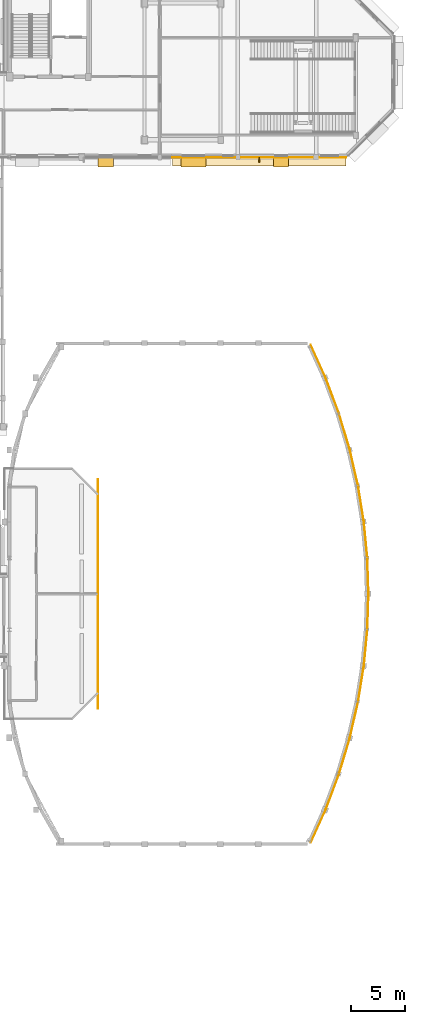
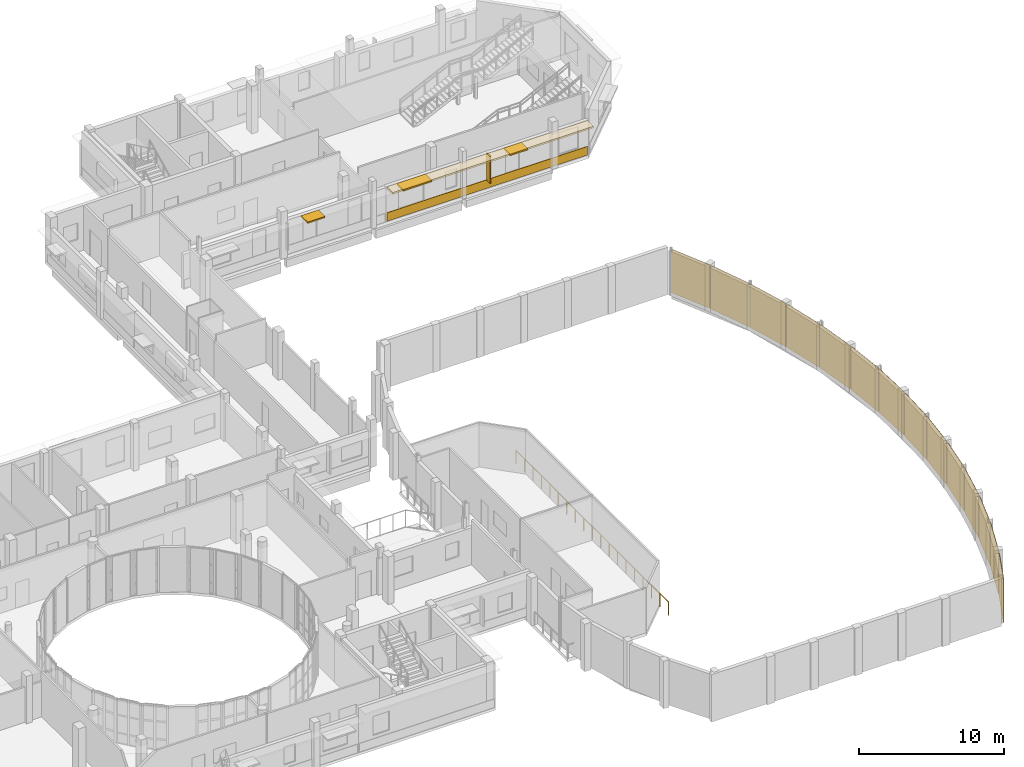
# One storey, part 90 of 92: 16 coverings, 4 shading devices, 1 railing.
"""IFC4 building model written with IfcOpenShell, lengths in metres."""

from ifc_helpers import new_model, si_unit, direction, frame, origin, origin_2d, place, context, subcontext, project, spatial, rectangle, circle, extrude, material, layer, layer_set, type_object, element, save


model = new_model("IFC4")

# Units and contexts
model_context = context("Model", 3, precision=1e-05, world=origin(), true_north=direction((0.0, 1.0)))
body_context = subcontext(model_context, "Body", "Model", "MODEL_VIEW")
ifc_project = project(units=[si_unit("LENGTHUNIT", "METRE"), si_unit("AREAUNIT", "SQUARE_METRE"), si_unit("VOLUMEUNIT", "CUBIC_METRE"), si_unit("PLANEANGLEUNIT", "RADIAN"), si_unit("MASSUNIT", "GRAM", prefix="KILO")], contexts=[model_context])

# Site, building, storey
site_placement = place(None, origin())
site = spatial("IfcSite", under=ifc_project, at=site_placement, CompositionType="ELEMENT")
building_placement = place(site_placement, origin())
building = spatial("IfcBuilding", under=site, at=building_placement, Name="Kelanivale Promenade Academy", CompositionType="ELEMENT")
storey_placement = place(building_placement, frame((0.0, 0.0, 8.199951171875)))
storey = spatial("IfcBuildingStorey", under=building, at=storey_placement, Name="L02", CompositionType="ELEMENT", Elevation=8.199951171875)

# Coverings
ifc_material_1 = material(Name="Sri Lankan terracotta fluted rainscreen cladding 45 mm", Category="masonry")
ifc_layer_1 = layer(ifc_material_1, 0.044921875)
ifc_layer_set_1 = layer_set([ifc_layer_1], Name="Sri Lankan terracotta fluted rainscreen cladding 45 mm")
covering_type_1 = type_object("IfcCoveringType", Name="COV-CLD1 Sri Lankan terracotta fluted rainscr", PredefinedType="CLADDING", material=ifc_layer_set_1)
covering_1_placement = place(storey_placement, frame((151.76806640625, 34.740966796875, 0.03955078125), z_axis=(0.0, 0.0, 1.0), x_axis=(0.414375580993, 0.910105970685, 0.0)))
element("IfcCovering", 1, at=covering_1_placement, inside=storey, type_object=covering_type_1, Name="Assembly Hall Arc Pavilion fluted terracotta cladding panel", PredefinedType="CLADDING", context=body_context, shape_type="SweptSolid", body=[
    extrude(rectangle(XDim=3.221923828125, YDim=0.044921875, at=origin_2d()), origin(), (0.0, 0.0, 1.0), 3.6650390625),
])
covering_2_placement = place(storey_placement, frame((153.076904296875, 37.912109375, 0.03955078125), z_axis=(0.0, 0.0, 1.0), x_axis=(0.350861216412, 0.936427470132, 0.0)))
element("IfcCovering", 2, at=covering_2_placement, inside=storey, type_object=covering_type_1, Name="Assembly Hall Arc Pavilion fluted terracotta cladding panel", PredefinedType="CLADDING", context=body_context, shape_type="SweptSolid", body=[
    extrude(rectangle(XDim=3.4599609375, YDim=0.044921875, at=origin_2d()), origin(), (0.0, 0.0, 1.0), 3.6650390625),
])
covering_3_placement = place(storey_placement, frame((154.197998046875, 41.237060546875, 0.03955078125), z_axis=(0.0, 0.0, 1.0), x_axis=(0.287026159226, 0.957922744234, 0.0)))
element("IfcCovering", 3, at=covering_3_placement, inside=storey, type_object=covering_type_1, Name="Assembly Hall Arc Pavilion fluted terracotta cladding panel", PredefinedType="CLADDING", context=body_context, shape_type="SweptSolid", body=[
    extrude(rectangle(XDim=3.3798828125, YDim=0.044921875, at=origin_2d()), origin(), (0.0, 0.0, 1.0), 3.6650390625),
])
covering_4_placement = place(storey_placement, frame((155.076904296875, 44.56201171875, 0.03955078125), z_axis=(0.0, 0.0, 1.0), x_axis=(0.223250116011, 0.974761194191, 0.0)))
element("IfcCovering", 4, at=covering_4_placement, inside=storey, type_object=covering_type_1, Name="Assembly Hall Arc Pavilion fluted terracotta cladding panel", PredefinedType="CLADDING", context=body_context, shape_type="SweptSolid", body=[
    extrude(rectangle(XDim=3.320068359375, YDim=0.044921875, at=origin_2d()), origin(), (0.0, 0.0, 1.0), 3.6650390625),
])
covering_5_placement = place(storey_placement, frame((155.72607421875, 47.886962890625, 0.03955078125), z_axis=(0.0, 0.0, 1.0), x_axis=(0.15936430246, 0.987219843349, 0.0)))
element("IfcCovering", 5, at=covering_5_placement, inside=storey, type_object=covering_type_1, Name="Assembly Hall Arc Pavilion fluted terracotta cladding panel", PredefinedType="CLADDING", context=body_context, shape_type="SweptSolid", body=[
    extrude(rectangle(XDim=3.277099609375, YDim=0.044921875, at=origin_2d()), origin(), (0.0, 0.0, 1.0), 3.6650390625),
])
covering_6_placement = place(storey_placement, frame((156.154052734375, 51.2119140625, 0.03955078125), z_axis=(0.0, 0.0, 1.0), x_axis=(0.095498287868, 0.995429594203, 0.0)))
element("IfcCovering", 6, at=covering_6_placement, inside=storey, type_object=covering_type_1, Name="Assembly Hall Arc Pavilion fluted terracotta cladding panel", PredefinedType="CLADDING", context=body_context, shape_type="SweptSolid", body=[
    extrude(rectangle(XDim=3.25, YDim=0.044921875, at=origin_2d()), origin(), (0.0, 0.0, 1.0), 3.6650390625),
])
for number, where, z_axis, x_axis, name in (
    (7, (156.366943359375, 54.5380859375, 0.03955078125), (0.0, 0.0, 1.0), (0.03193409516, 0.999489976721, 0.0), "Assembly Hall Arc Pavilion fluted terracotta cladding panel"),
    (8, (156.366943359375, 57.862060546875, 0.03955078125), (0.0, 0.0, 1.0), (-0.03193409516, 0.999489976721, 0.0), "Assembly Hall Arc Pavilion fluted terracotta cladding panel"),
):
    element("IfcCovering", number, at=place(storey_placement, frame(where, z_axis=z_axis, x_axis=x_axis)), inside=storey, type_object=covering_type_1, Name=name, PredefinedType="CLADDING", context=body_context, shape_type="SweptSolid", body=[
        extrude(rectangle(XDim=3.236083984375, YDim=0.044921875, at=origin_2d()), origin(), (0.0, 0.0, 1.0), 3.6650390625),
    ])
covering_7_placement = place(storey_placement, frame((156.154052734375, 61.18798828125, 0.03955078125), z_axis=(0.0, 0.0, 1.0), x_axis=(-0.095498287868, 0.995429594203, 0.0)))
element("IfcCovering", 9, at=covering_7_placement, inside=storey, type_object=covering_type_1, Name="Assembly Hall Arc Pavilion fluted terracotta cladding panel", PredefinedType="CLADDING", context=body_context, shape_type="SweptSolid", body=[
    extrude(rectangle(XDim=3.25, YDim=0.044921875, at=origin_2d()), origin(), (0.0, 0.0, 1.0), 3.6650390625),
])
covering_8_placement = place(storey_placement, frame((155.72607421875, 64.512939453125, 0.03955078125), z_axis=(0.0, 0.0, 1.0), x_axis=(-0.15936430246, 0.987219843349, 0.0)))
element("IfcCovering", 10, at=covering_8_placement, inside=storey, type_object=covering_type_1, Name="Assembly Hall Arc Pavilion fluted terracotta cladding panel", PredefinedType="CLADDING", context=body_context, shape_type="SweptSolid", body=[
    extrude(rectangle(XDim=3.277099609375, YDim=0.044921875, at=origin_2d()), origin(), (0.0, 0.0, 1.0), 3.6650390625),
])
covering_9_placement = place(storey_placement, frame((155.076904296875, 67.837890625, 0.03955078125), z_axis=(0.0, 0.0, 1.0), x_axis=(-0.223250116011, 0.974761194191, 0.0)))
element("IfcCovering", 11, at=covering_9_placement, inside=storey, type_object=covering_type_1, Name="Assembly Hall Arc Pavilion fluted terracotta cladding panel", PredefinedType="CLADDING", context=body_context, shape_type="SweptSolid", body=[
    extrude(rectangle(XDim=3.320068359375, YDim=0.044921875, at=origin_2d()), origin(), (0.0, 0.0, 1.0), 3.6650390625),
])
covering_10_placement = place(storey_placement, frame((154.197998046875, 71.1630859375, 0.03955078125), z_axis=(0.0, 0.0, 1.0), x_axis=(-0.287026159226, 0.957922744234, 0.0)))
element("IfcCovering", 12, at=covering_10_placement, inside=storey, type_object=covering_type_1, Name="Assembly Hall Arc Pavilion fluted terracotta cladding panel", PredefinedType="CLADDING", context=body_context, shape_type="SweptSolid", body=[
    extrude(rectangle(XDim=3.3798828125, YDim=0.044921875, at=origin_2d()), origin(), (0.0, 0.0, 1.0), 3.6650390625),
])
covering_11_placement = place(storey_placement, frame((153.076904296875, 74.488037109375, 0.03955078125), z_axis=(0.0, 0.0, 1.0), x_axis=(-0.350861216412, 0.936427470132, 0.0)))
element("IfcCovering", 13, at=covering_11_placement, inside=storey, type_object=covering_type_1, Name="Assembly Hall Arc Pavilion fluted terracotta cladding panel", PredefinedType="CLADDING", context=body_context, shape_type="SweptSolid", body=[
    extrude(rectangle(XDim=3.4599609375, YDim=0.044921875, at=origin_2d()), origin(), (0.0, 0.0, 1.0), 3.6650390625),
])
covering_12_placement = place(storey_placement, frame((151.76806640625, 77.658935546875, 0.03955078125), z_axis=(0.0, 0.0, 1.0), x_axis=(-0.414375580993, 0.910105970685, 0.0)))
element("IfcCovering", 14, at=covering_12_placement, inside=storey, type_object=covering_type_1, Name="Assembly Hall Arc Pavilion fluted terracotta cladding panel", PredefinedType="CLADDING", context=body_context, shape_type="SweptSolid", body=[
    extrude(rectangle(XDim=3.221923828125, YDim=0.044921875, at=origin_2d()), origin(), (0.0, 0.0, 1.0), 3.6650390625),
])
ifc_material_2 = material(Name="Warm ivory Art Deco stucco frieze band 40 mm", Category="masonry")
ifc_layer_2 = layer(ifc_material_2, 0.0400390625)
ifc_layer_set_2 = layer_set([ifc_layer_2], Name="Warm ivory Art Deco stucco frieze band 40 mm")
covering_type_2 = type_object("IfcCoveringType", Name="COV-CLD2 Warm ivory Art Deco stucco frieze ba", PredefinedType="CLADDING", material=ifc_layer_set_2)
covering_13_placement = place(storey_placement, frame((146.35302734375, 96.0, 2.80517578125), z_axis=(0.0, 0.0, 1.0), x_axis=(1.0, 0.0, 0.0)))
element("IfcCovering", 15, at=covering_13_placement, inside=storey, type_object=covering_type_2, Name="Art Deco projecting 820 mm streamline sunshade eyebrow ledge", PredefinedType="CLADDING", context=body_context, shape_type="SweptSolid", body=[
    extrude(rectangle(XDim=15.9951171875, YDim=0.820068359375, at=origin_2d()), origin(), (0.0, 0.0, 1.0), 0.139892578125),
])
covering_14_placement = place(storey_placement, frame((146.35302734375, 96.385009765625, 0.06005859375), z_axis=(0.0, 0.0, 1.0), x_axis=(1.0, 0.0, 0.0)))
element("IfcCovering", 16, at=covering_14_placement, inside=storey, type_object=covering_type_2, Name="Art Deco ivory stucco sill frieze band", PredefinedType="CLADDING", context=body_context, shape_type="SweptSolid", body=[
    extrude(rectangle(XDim=15.9951171875, YDim=0.0400390625, at=origin_2d()), origin(), (0.0, 0.0, 1.0), 0.719970703125),
])

# Railing
ifc_material_3 = material(Name="Brushed stainless steel grade 316", Category="steel")
railing_type = type_object("IfcRailingType", Name="GR-01 Stair Guard 1100mm", PredefinedType="BALUSTRADE", material=ifc_material_3)
railing_placement = place(storey_placement, frame((131.52001953125, 45.64990234375, 0.0)))
element("IfcRailing", 17, at=railing_placement, inside=storey, type_object=railing_type, Name="Assembly Viewing Gallery balustrade", PredefinedType="BALUSTRADE", context=body_context, shape_type="SweptSolid", body=[
    extrude(circle(Radius=0.02392578125, at=origin_2d()), frame((0.0, 0.0, 1.09619140625), z_axis=(0.0, 1.0, 0.0), x_axis=(-1.0, 0.0, 0.0)), (0.0, 0.0, 1.0), 21.10009765625),
    extrude(circle(Radius=0.02099609375, at=origin_2d()), origin(), (0.0, 0.0, 1.0), 1.072021484375),
    extrude(circle(Radius=0.02099609375, at=origin_2d()), frame((0.0, 1.172119140625, 0.0)), (0.0, 0.0, 1.0), 1.072021484375),
    extrude(circle(Radius=0.02099609375, at=origin_2d()), frame((0.0, 2.344482421875, 0.0)), (0.0, 0.0, 1.0), 1.072021484375),
    extrude(circle(Radius=0.02099609375, at=origin_2d()), frame((0.0, 3.5166015625, 0.0)), (0.0, 0.0, 1.0), 1.072021484375),
    extrude(circle(Radius=0.02099609375, at=origin_2d()), frame((0.0, 4.68896484375, 0.0)), (0.0, 0.0, 1.0), 1.072021484375),
    extrude(circle(Radius=0.02099609375, at=origin_2d()), frame((0.0, 5.861083984375, 0.0)), (0.0, 0.0, 1.0), 1.072021484375),
    extrude(circle(Radius=0.02099609375, at=origin_2d()), frame((0.0, 7.033447265625, 0.0)), (0.0, 0.0, 1.0), 1.072021484375),
    extrude(circle(Radius=0.02099609375, at=origin_2d()), frame((0.0, 8.20556640625, 0.0)), (0.0, 0.0, 1.0), 1.072021484375),
    extrude(circle(Radius=0.02099609375, at=origin_2d()), frame((0.0, 9.3779296875, 0.0)), (0.0, 0.0, 1.0), 1.072021484375),
    extrude(circle(Radius=0.02099609375, at=origin_2d()), frame((0.0, 10.550048828125, 0.0)), (0.0, 0.0, 1.0), 1.072021484375),
    extrude(circle(Radius=0.02099609375, at=origin_2d()), frame((0.0, 11.72216796875, 0.0)), (0.0, 0.0, 1.0), 1.072021484375),
    extrude(circle(Radius=0.02099609375, at=origin_2d()), frame((0.0, 12.89453125, 0.0)), (0.0, 0.0, 1.0), 1.072021484375),
    extrude(circle(Radius=0.02099609375, at=origin_2d()), frame((0.0, 14.066650390625, 0.0)), (0.0, 0.0, 1.0), 1.072021484375),
    extrude(circle(Radius=0.02099609375, at=origin_2d()), frame((0.0, 15.239013671875, 0.0)), (0.0, 0.0, 1.0), 1.072021484375),
    extrude(circle(Radius=0.02099609375, at=origin_2d()), frame((0.0, 16.4111328125, 0.0)), (0.0, 0.0, 1.0), 1.072021484375),
    extrude(circle(Radius=0.02099609375, at=origin_2d()), frame((0.0, 17.58349609375, 0.0)), (0.0, 0.0, 1.0), 1.072021484375),
    extrude(circle(Radius=0.02099609375, at=origin_2d()), frame((0.0, 18.755615234375, 0.0)), (0.0, 0.0, 1.0), 1.072021484375),
    extrude(circle(Radius=0.02099609375, at=origin_2d()), frame((0.0, 19.927978515625, 0.0)), (0.0, 0.0, 1.0), 1.072021484375),
    extrude(circle(Radius=0.02099609375, at=origin_2d()), frame((0.0, 21.10009765625, 0.0)), (0.0, 0.0, 1.0), 1.072021484375),
])

# Shading devices
ifc_material_4 = material(Name="Precast concrete C40/50", Category="concrete")
ifc_layer_3 = layer(ifc_material_4, 0.1201171875)
ifc_layer_set_3 = layer_set([ifc_layer_3], Name="Precast concrete C40/50")
shading_device_type_1 = type_object("IfcShadingDeviceType", Name="SHD-01 Art Deco Sunshade Eyebrow 900mm", PredefinedType="USERDEFINED", material=ifc_layer_set_3)
shading_device_1_placement = place(storey_placement, frame((132.218017578125, 95.9599609375, 2.784912109375), z_axis=(0.0, 0.0, 1.0), x_axis=(1.0, 0.0, 0.0)))
element("IfcShadingDevice", 18, at=shading_device_1_placement, inside=storey, type_object=shading_device_type_1, Name="Art Deco 900 mm precast chajja window sunshade", ObjectType="SUNSHADE", PredefinedType="USERDEFINED", context=body_context, shape_type="SweptSolid", body=[
    extrude(rectangle(XDim=1.39990234375, YDim=0.89990234375, at=origin_2d()), origin(), (0.0, 0.0, 1.0), 0.1201171875),
])
shading_device_2_placement = place(storey_placement, frame((140.294921875, 95.9599609375, 2.8349609375), z_axis=(0.0, 0.0, 1.0), x_axis=(1.0, 0.0, 0.0)))
element("IfcShadingDevice", 19, at=shading_device_2_placement, inside=storey, type_object=shading_device_type_1, Name="Art Deco 900 mm precast chajja window sunshade", ObjectType="SUNSHADE", PredefinedType="USERDEFINED", context=body_context, shape_type="SweptSolid", body=[
    extrude(rectangle(XDim=2.300048828125, YDim=0.89990234375, at=origin_2d()), origin(), (0.0, 0.0, 1.0), 0.1201171875),
])
shading_device_3_placement = place(storey_placement, frame((148.373046875, 95.9599609375, 2.8349609375), z_axis=(0.0, 0.0, 1.0), x_axis=(1.0, 0.0, 0.0)))
element("IfcShadingDevice", 20, at=shading_device_3_placement, inside=storey, type_object=shading_device_type_1, Name="Art Deco 900 mm precast chajja window sunshade", ObjectType="SUNSHADE", PredefinedType="USERDEFINED", context=body_context, shape_type="SweptSolid", body=[
    extrude(rectangle(XDim=1.39990234375, YDim=0.89990234375, at=origin_2d()), origin(), (0.0, 0.0, 1.0), 0.1201171875),
])
ifc_material_5 = material(Name="Bronze anodised aluminium EN AW-6063 T6", Category="aluminium")
ifc_layer_4 = layer(ifc_material_5, 0.10009765625)
ifc_layer_set_4 = layer_set([ifc_layer_4], Name="Bronze anodised aluminium EN AW-6063 T6")
shading_device_type_2 = type_object("IfcShadingDeviceType", Name="SHD-03 Vertical Fluted Solar Fin", PredefinedType="USERDEFINED", material=ifc_layer_set_4)
shading_device_4_placement = place(storey_placement, frame((146.35302734375, 96.179931640625, 0.7001953125), z_axis=(0.0, 0.0, 1.0), x_axis=(1.0, 0.0, 0.0)))
element("IfcShadingDevice", 21, at=shading_device_4_placement, inside=storey, type_object=shading_device_type_2, Name="Vertical fluted Art Deco solar fin", ObjectType="SOLAR FIN", PredefinedType="USERDEFINED", context=body_context, shape_type="SweptSolid", body=[
    extrude(rectangle(XDim=0.10009765625, YDim=0.449951171875, at=origin_2d()), origin(), (0.0, 0.0, 1.0), 2.300048828125),
])

save(model, "model.ifc")
